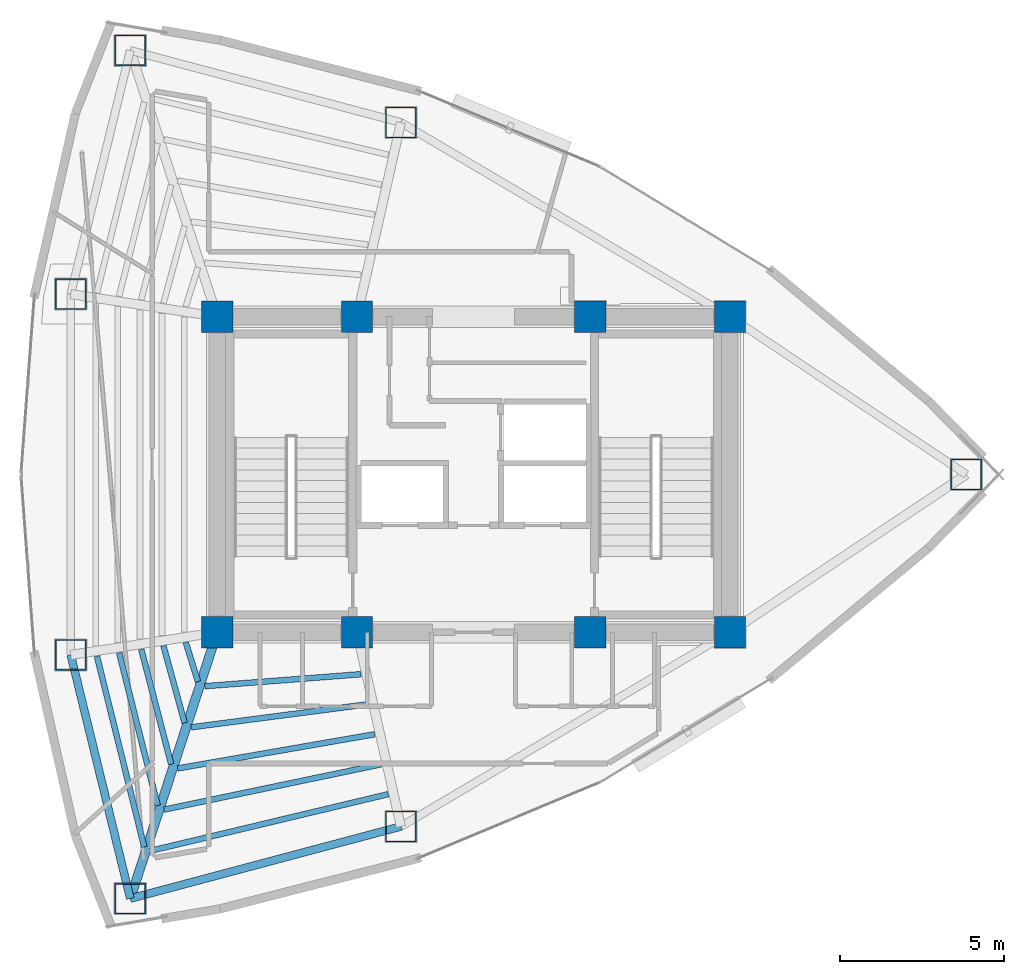
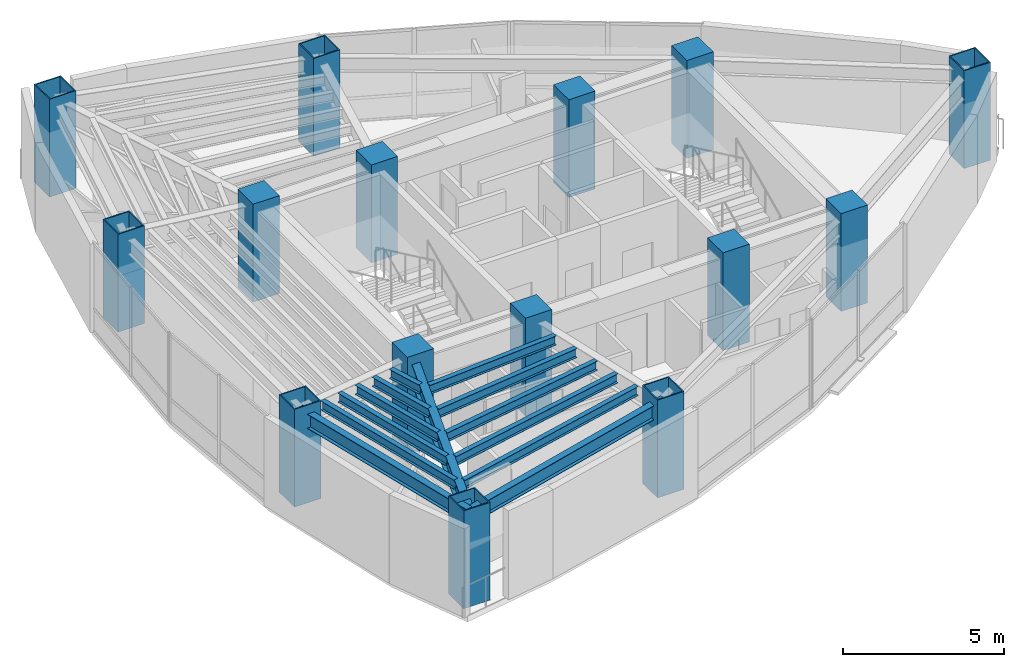
# One storey, part 1 of 16: 15 columns, 13 beams.
"""IFC4 building model written with IfcOpenShell, lengths in metres."""

from ifc_helpers import new_model, si_unit, direction, frame, origin, origin_2d, place, context, subcontext, project, spatial, rectangle, hollow_rectangle, i_section, extrude, material, material_profile, profile_set, type_object, element, save


model = new_model("IFC4")

# Units and contexts
model_context = context("Model", 3, precision=1e-05, world=origin(), true_north=direction((0.0, 1.0)))
body_context = subcontext(model_context, "Body", "Model", "MODEL_VIEW")
ifc_project = project(units=[si_unit("LENGTHUNIT", "METRE"), si_unit("AREAUNIT", "SQUARE_METRE"), si_unit("VOLUMEUNIT", "CUBIC_METRE"), si_unit("PLANEANGLEUNIT", "RADIAN"), si_unit("MASSUNIT", "GRAM", prefix="KILO")], contexts=[model_context])

# Site, building, storey
site_placement = place(None, origin())
site = spatial("IfcSite", under=ifc_project, at=site_placement, CompositionType="ELEMENT")
building_placement = place(site_placement, origin())
building = spatial("IfcBuilding", under=site, at=building_placement, Name="Menara Vayukalpa", CompositionType="ELEMENT")
storey_placement = place(building_placement, frame((0.0, 0.0, 210.1201171875)))
storey = spatial("IfcBuildingStorey", under=building, at=storey_placement, Name="L53", CompositionType="ELEMENT", Elevation=210.1201171875)

# Columns
ifc_material_1 = material(Name="Concrete C60/75", Category="concrete")
ifc_material_profile_1 = material_profile(ifc_material_1, rectangle(XDim=0.949951171875, YDim=0.949951171875, at=origin_2d()), Name="RC 950x950")
ifc_profile_set_1 = profile_set([ifc_material_profile_1], Name="Concrete C60/75")
column_type_1 = type_object("IfcColumnType", Name="COL-CC2", PredefinedType="COLUMN", material=ifc_profile_set_1)
for number, where, z_axis, x_axis, name in (
    (1, (17.800048828125, 17.199951171875, 0.0), (0.0, 0.0, 1.0), (1.0, 0.0, 0.0), "L53 Core Pilaster Column CC1"),
    (2, (22.050048828125, 17.199951171875, 0.0), (0.0, 0.0, 1.0), (1.0, 0.0, 0.0), "L53 Core Pilaster Column CC2"),
    (3, (29.14990234375, 17.199951171875, 0.0), (0.0, 0.0, 1.0), (1.0, 0.0, 0.0), "L53 Core Pilaster Column CC3"),
    (4, (33.39990234375, 17.199951171875, 0.0), (0.0, 0.0, 1.0), (1.0, 0.0, 0.0), "L53 Core Pilaster Column CC4"),
    (5, (17.800048828125, 26.800048828125, 0.0), (0.0, 0.0, 1.0), (1.0, 0.0, 0.0), "L53 Core Pilaster Column CC5"),
    (6, (22.050048828125, 26.800048828125, 0.0), (0.0, 0.0, 1.0), (1.0, 0.0, 0.0), "L53 Core Pilaster Column CC6"),
    (7, (29.14990234375, 26.800048828125, 0.0), (0.0, 0.0, 1.0), (1.0, 0.0, 0.0), "L53 Core Pilaster Column CC7"),
    (8, (33.39990234375, 26.800048828125, 0.0), (0.0, 0.0, 1.0), (1.0, 0.0, 0.0), "L53 Core Pilaster Column CC8"),
):
    element("IfcColumn", number, at=place(storey_placement, frame(where, z_axis=z_axis, x_axis=x_axis)), inside=storey, type_object=column_type_1, Name=name, PredefinedType="COLUMN", context=body_context, shape_type="SweptSolid", body=[
        extrude(rectangle(XDim=0.949951171875, YDim=0.949951171875, at=origin_2d()), origin(), (0.0, 0.0, 1.0), 3.719970703125),
    ])
ifc_material_2 = material(Name="Steel S460", Category="steel")
ifc_material_profile_2 = material_profile(ifc_material_2, hollow_rectangle(XDim=0.949951171875, YDim=0.949951171875, WallThickness=0.0400390625, at=origin_2d()), Name="BOX 950x950x40")
ifc_profile_set_2 = profile_set([ifc_material_profile_2], Name="Steel S460")
column_type_2 = type_object("IfcColumnType", Name="COL-MC4", PredefinedType="COLUMN", material=ifc_profile_set_2)
for number, where, z_axis, x_axis, name in (
    (9, (40.590576171875, 22.0, 0.0), (0.0, 0.0, 1.0), (1.0, 0.0, 0.0), "L53 Perimeter Mega Column P01"),
    (10, (23.389404296875, 32.70849609375, 0.0), (0.0, 0.0, 1.0), (1.0, 0.0, 0.0), "L53 Perimeter Mega Column P03"),
    (11, (15.15478515625, 34.902587890625, 0.0), (0.0, 0.0, 1.0), (1.0, 0.0, 0.0), "L53 Perimeter Mega Column P04"),
    (12, (13.343994140625, 27.4892578125, 0.0), (0.0, 0.0, 1.0), (1.0, 0.0, 0.0), "L53 Perimeter Mega Column P05"),
    (13, (13.343994140625, 16.5107421875, 0.0), (0.0, 0.0, 1.0), (1.0, 0.0, 0.0), "L53 Perimeter Mega Column P06"),
    (14, (15.15478515625, 9.097412109375, 0.0), (0.0, 0.0, 1.0), (1.0, 0.0, 0.0), "L53 Perimeter Mega Column P07"),
    (15, (23.389404296875, 11.29150390625, 0.0), (0.0, 0.0, 1.0), (1.0, 0.0, 0.0), "L53 Perimeter Mega Column P08"),
):
    element("IfcColumn", number, at=place(storey_placement, frame(where, z_axis=z_axis, x_axis=x_axis)), inside=storey, type_object=column_type_2, Name=name, PredefinedType="COLUMN", context=body_context, shape_type="SweptSolid", body=[
        extrude(hollow_rectangle(XDim=0.949951171875, YDim=0.949951171875, WallThickness=0.0400390625, at=origin_2d()), origin(), (0.0, 0.0, 1.0), 3.719970703125),
    ])

# Beams
ifc_material_3 = material(Name="Steel S355", Category="steel")
ifc_material_profile_3 = material_profile(ifc_material_3, i_section(OverallWidth=0.280029296875, OverallDepth=0.75, WebThickness=0.013916015625, FlangeThickness=0.02490234375, at=origin_2d()), Name="WF 750x280x14x25")
ifc_profile_set_3 = profile_set([ifc_material_profile_3], Name="Steel S355")
beam_type_1 = type_object("IfcBeamType", Name="BM-PG4", PredefinedType="BEAM", material=ifc_profile_set_3)
beam_1_placement = place(storey_placement, frame((17.722412109375, 16.96240234375, 3.0048828125), z_axis=(-0.310343552153, -0.950624468251, 0.0), x_axis=(0.950624468251, -0.310343552153, 0.0)))
element("IfcBeam", 16, at=beam_1_placement, inside=storey, type_object=beam_type_1, Name="L53 Primary Radial Girder RG07", PredefinedType="BEAM", context=body_context, shape_type="SweptSolid", body=[
    extrude(i_section(OverallWidth=0.280029296875, OverallDepth=0.75, WebThickness=0.013916015625, FlangeThickness=0.02490234375, at=origin_2d()), origin(), (0.0, 0.0, 1.0), 8.2734375),
])
ifc_material_4 = material(Name="Steel S355", Category="steel")
ifc_material_profile_4 = material_profile(ifc_material_4, i_section(OverallWidth=0.175048828125, OverallDepth=0.35009765625, WebThickness=0.007080078125, FlangeThickness=0.010986328125, at=origin_2d()), Name="WF 350x175x7x11")
ifc_profile_set_4 = profile_set([ifc_material_profile_4], Name="Steel S355")
beam_type_2 = type_object("IfcBeamType", Name="BM-SJ3", PredefinedType="JOIST", material=ifc_profile_set_4)
beam_2_placement = place(storey_placement, frame((16.8427734375, 16.891845703125, 3.204833984375), z_axis=(0.296448419226, -0.955048865105, 0.0), x_axis=(0.955048865105, 0.296448419226, 0.0)))
element("IfcBeam", 17, at=beam_2_placement, inside=storey, type_object=beam_type_2, Name="L53 Secondary Floor Joist SJ06-1", PredefinedType="JOIST", context=body_context, shape_type="SweptSolid", body=[
    extrude(i_section(OverallWidth=0.175048828125, OverallDepth=0.35009765625, WebThickness=0.007080078125, FlangeThickness=0.010986328125, at=origin_2d()), origin(), (0.0, 0.0, 1.0), 1.24853515625),
])
beam_3_placement = place(storey_placement, frame((16.164306640625, 16.7861328125, 3.204833984375), z_axis=(0.264502665082, -0.964384954344, 0.0), x_axis=(0.964384954344, 0.264502665082, 0.0)))
element("IfcBeam", 18, at=beam_3_placement, inside=storey, type_object=beam_type_2, Name="L53 Secondary Floor Joist SJ06-2", PredefinedType="JOIST", context=body_context, shape_type="SweptSolid", body=[
    extrude(i_section(OverallWidth=0.175048828125, OverallDepth=0.35009765625, WebThickness=0.007080078125, FlangeThickness=0.010986328125, at=origin_2d()), origin(), (0.0, 0.0, 1.0), 2.430419921875),
])
beam_4_placement = place(storey_placement, frame((15.48876953125, 16.681396484375, 3.204833984375), z_axis=(0.251714869346, -0.967801438597, 0.0), x_axis=(0.967801438597, 0.251714869346, 0.0)))
element("IfcBeam", 19, at=beam_4_placement, inside=storey, type_object=beam_type_2, Name="L53 Secondary Floor Joist SJ06-3", PredefinedType="JOIST", context=body_context, shape_type="SweptSolid", body=[
    extrude(i_section(OverallWidth=0.175048828125, OverallDepth=0.35009765625, WebThickness=0.007080078125, FlangeThickness=0.010986328125, at=origin_2d()), origin(), (0.0, 0.0, 1.0), 3.61279296875),
])
beam_5_placement = place(storey_placement, frame((14.814208984375, 16.576904296875, 3.204833984375), z_axis=(0.24483447751, -0.969564891393, 0.0), x_axis=(0.969564891393, 0.24483447751, 0.0)))
element("IfcBeam", 20, at=beam_5_placement, inside=storey, type_object=beam_type_2, Name="L53 Secondary Floor Joist SJ06-4", PredefinedType="JOIST", context=body_context, shape_type="SweptSolid", body=[
    extrude(i_section(OverallWidth=0.175048828125, OverallDepth=0.35009765625, WebThickness=0.007080078125, FlangeThickness=0.010986328125, at=origin_2d()), origin(), (0.0, 0.0, 1.0), 4.79638671875),
])
beam_6_placement = place(storey_placement, frame((14.14013671875, 16.47265625, 3.204833984375), z_axis=(0.240556182956, -0.970635216156, 0.0), x_axis=(0.970635216156, 0.240556182956, 0.0)))
element("IfcBeam", 21, at=beam_6_placement, inside=storey, type_object=beam_type_2, Name="L53 Secondary Floor Joist SJ06-5", PredefinedType="JOIST", context=body_context, shape_type="SweptSolid", body=[
    extrude(i_section(OverallWidth=0.175048828125, OverallDepth=0.35009765625, WebThickness=0.007080078125, FlangeThickness=0.010986328125, at=origin_2d()), origin(), (0.0, 0.0, 1.0), 5.979736328125),
])
beam_7_placement = place(storey_placement, frame((17.419921875, 15.558837890625, 3.204833984375), z_axis=(0.997061705182, 0.076602585202, 0.0), x_axis=(-0.076602585202, 0.997061705182, 0.0)))
element("IfcBeam", 22, at=beam_7_placement, inside=storey, type_object=beam_type_2, Name="L53 Secondary Floor Joist SJ07-1", PredefinedType="JOIST", context=body_context, shape_type="SweptSolid", body=[
    extrude(i_section(OverallWidth=0.175048828125, OverallDepth=0.35009765625, WebThickness=0.007080078125, FlangeThickness=0.010986328125, at=origin_2d()), origin(), (0.0, 0.0, 1.0), 4.77099609375),
])
beam_8_placement = place(storey_placement, frame((17.008056640625, 14.308837890625, 3.204833984375), z_axis=(0.99161070493, 0.129260240866, 0.0), x_axis=(-0.129260240866, 0.99161070493, 0.0)))
element("IfcBeam", 23, at=beam_8_placement, inside=storey, type_object=beam_type_2, Name="L53 Secondary Floor Joist SJ07-2", PredefinedType="JOIST", context=body_context, shape_type="SweptSolid", body=[
    extrude(i_section(OverallWidth=0.175048828125, OverallDepth=0.35009765625, WebThickness=0.007080078125, FlangeThickness=0.010986328125, at=origin_2d()), origin(), (0.0, 0.0, 1.0), 5.420654296875),
])
beam_9_placement = place(storey_placement, frame((16.59619140625, 13.05712890625, 3.204833984375), z_axis=(0.985288833054, 0.170897382832, 0.0), x_axis=(-0.170897382832, 0.985288833054, 0.0)))
element("IfcBeam", 24, at=beam_9_placement, inside=storey, type_object=beam_type_2, Name="L53 Secondary Floor Joist SJ07-3", PredefinedType="JOIST", context=body_context, shape_type="SweptSolid", body=[
    extrude(i_section(OverallWidth=0.175048828125, OverallDepth=0.35009765625, WebThickness=0.007080078125, FlangeThickness=0.010986328125, at=origin_2d()), origin(), (0.0, 0.0, 1.0), 6.0830078125),
])
beam_10_placement = place(storey_placement, frame((16.184326171875, 11.80419921875, 3.204833984375), z_axis=(0.97888709748, 0.204401688806, 0.0), x_axis=(-0.204401688806, 0.97888709748, 0.0)))
element("IfcBeam", 25, at=beam_10_placement, inside=storey, type_object=beam_type_2, Name="L53 Secondary Floor Joist SJ07-4", PredefinedType="JOIST", context=body_context, shape_type="SweptSolid", body=[
    extrude(i_section(OverallWidth=0.175048828125, OverallDepth=0.35009765625, WebThickness=0.007080078125, FlangeThickness=0.010986328125, at=origin_2d()), origin(), (0.0, 0.0, 1.0), 6.75439453125),
])
beam_11_placement = place(storey_placement, frame((15.772705078125, 10.55029296875, 3.204833984375), z_axis=(0.972731800574, 0.231932844055, 0.0), x_axis=(-0.231932844055, 0.972731800574, 0.0)))
element("IfcBeam", 26, at=beam_11_placement, inside=storey, type_object=beam_type_2, Name="L53 Secondary Floor Joist SJ07-5", PredefinedType="JOIST", context=body_context, shape_type="SweptSolid", body=[
    extrude(i_section(OverallWidth=0.175048828125, OverallDepth=0.35009765625, WebThickness=0.007080078125, FlangeThickness=0.010986328125, at=origin_2d()), origin(), (0.0, 0.0, 1.0), 7.4326171875),
])
ifc_material_5 = material(Name="Steel S355", Category="steel")
ifc_material_profile_5 = material_profile(ifc_material_5, i_section(OverallWidth=0.239990234375, OverallDepth=0.550048828125, WebThickness=0.010986328125, FlangeThickness=0.01904296875, at=origin_2d()), Name="WF 550x240x11x19")
ifc_profile_set_5 = profile_set([ifc_material_profile_5], Name="Steel S355")
beam_type_3 = type_object("IfcBeamType", Name="BM-SP2", PredefinedType="SPANDREL", material=ifc_profile_set_5)
beam_12_placement = place(storey_placement, frame((13.343994140625, 16.5107421875, 3.10498046875), z_axis=(0.237285374413, -0.971439988414, 0.0), x_axis=(0.971439988414, 0.237285374413, 0.0)))
element("IfcBeam", 27, at=beam_12_placement, inside=storey, type_object=beam_type_3, Name="L53 Perimeter Spandrel Beam SP06", PredefinedType="SPANDREL", context=body_context, shape_type="SweptSolid", body=[
    extrude(i_section(OverallWidth=0.239990234375, OverallDepth=0.550048828125, WebThickness=0.010986328125, FlangeThickness=0.01904296875, at=origin_2d()), origin(), (0.0, 0.0, 1.0), 7.63134765625),
])
beam_13_placement = place(storey_placement, frame((15.15478515625, 9.097412109375, 3.10498046875), z_axis=(0.966287699272, 0.25746472037, 0.0), x_axis=(-0.25746472037, 0.966287699272, 0.0)))
element("IfcBeam", 28, at=beam_13_placement, inside=storey, type_object=beam_type_3, Name="L53 Perimeter Spandrel Beam SP07", PredefinedType="SPANDREL", context=body_context, shape_type="SweptSolid", body=[
    extrude(i_section(OverallWidth=0.239990234375, OverallDepth=0.550048828125, WebThickness=0.010986328125, FlangeThickness=0.01904296875, at=origin_2d()), origin(), (0.0, 0.0, 1.0), 8.52197265625),
])

save(model, "model.ifc")
